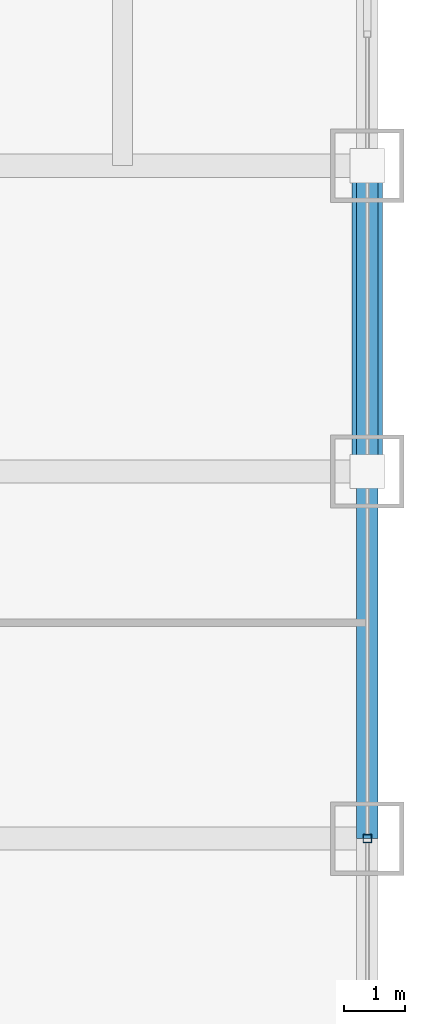
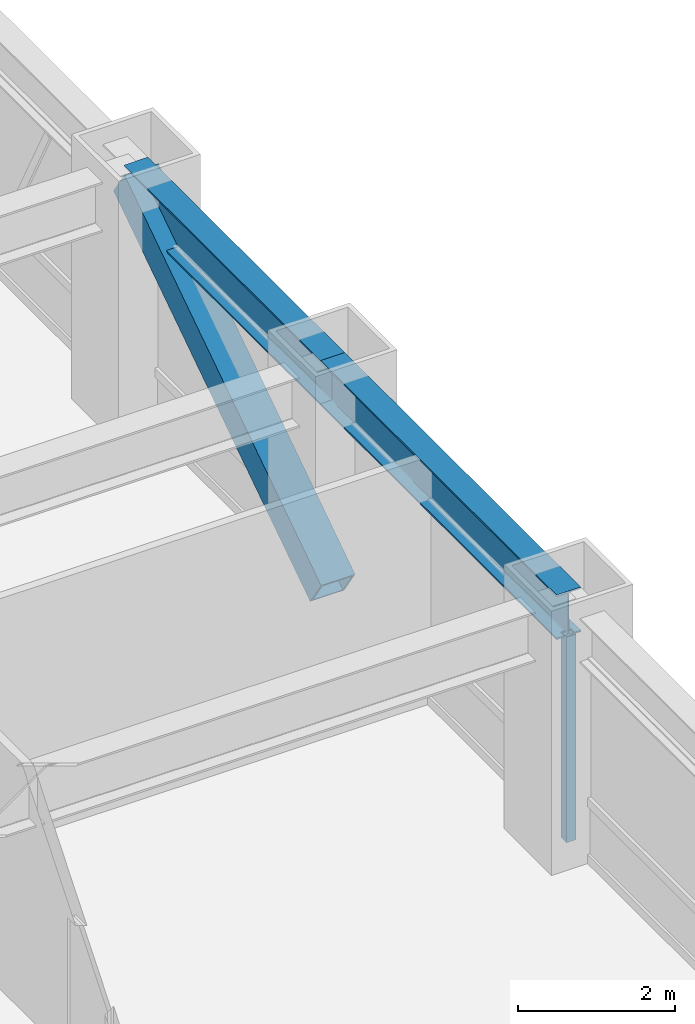
# One storey, part 14 of 32: 2 beams, 2 members, 1 element without a shape of its own.
"""IFC4 building model written with IfcOpenShell, lengths in metres."""

from ifc_helpers import new_model, si_unit, direction, frame, origin, origin_2d, place, context, subcontext, project, spatial, hollow_rectangle, i_section, extrude, source, transform, mapped, material, material_profile, profile_set, type_object, element, aggregate, save


model = new_model("IFC4")

# Units and contexts
model_context = context("Model", 3, precision=1e-05, world=origin(), true_north=direction((0.0, 1.0)))
body_context = subcontext(model_context, "Body", "Model", "MODEL_VIEW")
ifc_project = project(units=[si_unit("LENGTHUNIT", "METRE"), si_unit("AREAUNIT", "SQUARE_METRE"), si_unit("VOLUMEUNIT", "CUBIC_METRE"), si_unit("PLANEANGLEUNIT", "RADIAN"), si_unit("MASSUNIT", "GRAM", prefix="KILO")], contexts=[model_context])

# Site, building, storey
site_placement = place(None, origin())
site = spatial("IfcSite", under=ifc_project, at=site_placement, CompositionType="ELEMENT")
building_placement = place(site_placement, origin())
building = spatial("IfcBuilding", under=site, at=building_placement, Name="Khorayat Bourse Tower", CompositionType="ELEMENT")
storey_placement = place(building_placement, frame((0.0, 0.0, 136.5)))
storey = spatial("IfcBuildingStorey", under=building, at=storey_placement, Name="L31", CompositionType="ELEMENT", Elevation=136.5)

# Beams
ifc_material_1 = material(Name="Steel ASTM A992 Grade 50", Category="steel")
ifc_material_profile_1 = material_profile(ifc_material_1, i_section(OverallWidth=0.35498046875, OverallDepth=0.695068359375, WebThickness=0.015380859375, FlangeThickness=0.02490234375, FilletRadius=0.01806640625, at=origin_2d()), Name="W690X217")
ifc_profile_set_1 = profile_set([ifc_material_profile_1], Name="Steel ASTM A992 Grade 50")
beam_type = type_object("IfcBeamType", Name="BM-SPAN-690", PredefinedType="SPANDREL", material=ifc_profile_set_1)
shared_shape_1 = source(origin(), body_context, "Body", "SweptSolid", [
    extrude(i_section(OverallWidth=0.35498046875, OverallDepth=0.695068359375, WebThickness=0.015380859375, FlangeThickness=0.02490234375, FilletRadius=0.01806640625, at=origin_2d()), origin(), (0.0, 0.0, 1.0), 5.0),
])
beam_1_placement = place(storey_placement, frame((32.0, 6.0, 3.492431640625), z_axis=(0.0, 1.0, 0.0), x_axis=(-1.0, 0.0, 0.0)))
element("IfcBeam", 1, at=beam_1_placement, inside=storey, type_object=beam_type, Name="L31 BM-SPAN-690 BM-L31-SPN-039", PredefinedType="SPANDREL", context=body_context, shape_type="MappedRepresentation", body=[
    mapped(shared_shape_1, transform((0.0, 0.0, 0.0), scale=1.0)),
])
shared_shape_2 = source(origin(), body_context, "Body", "SweptSolid", [
    extrude(i_section(OverallWidth=0.35498046875, OverallDepth=0.695068359375, WebThickness=0.015380859375, FlangeThickness=0.02490234375, FilletRadius=0.01806640625, at=origin_2d()), origin(), (0.0, 0.0, 1.0), 6.0),
])
beam_2_placement = place(storey_placement, frame((32.0, 0.0, 3.492431640625), z_axis=(0.0, 1.0, 0.0), x_axis=(-1.0, 0.0, 0.0)))
element("IfcBeam", 2, at=beam_2_placement, inside=storey, type_object=beam_type, Name="L31 BM-SPAN-690 BM-L31-SPN-038", PredefinedType="SPANDREL", context=body_context, shape_type="MappedRepresentation", body=[
    mapped(shared_shape_2, transform((0.0, 0.0, 0.0), scale=1.0)),
])

# Member
ifc_material_2 = material(Name="Steel EN 10025-4 S460M", Category="steel")
ifc_material_profile_2 = material_profile(ifc_material_2, hollow_rectangle(XDim=0.5, YDim=0.5, WallThickness=0.028076171875, at=origin_2d()), Name="HSS 500x500x28")
ifc_profile_set_2 = profile_set([ifc_material_profile_2], Name="Steel EN 10025-4 S460M")
member_type_1 = type_object("IfcMemberType", Name="MBR-TUBE-500", PredefinedType="BRACE", material=ifc_profile_set_2)
shared_shape_3 = source(origin(), body_context, "Body", "SweptSolid", [
    extrude(hollow_rectangle(XDim=0.5, YDim=0.5, WallThickness=0.028076171875, at=origin_2d()), origin(), (0.0, 0.0, 1.0), 6.012939453125),
])
member_1_placement = place(storey_placement, frame((32.0, 6.0, 0.25), z_axis=(0.0, 0.831531473026, 0.555477640745), x_axis=(-1.0, 0.0, 0.0)))
element("IfcMember", 3, at=member_1_placement, inside=storey, type_object=member_type_1, Name="L31 Perimeter Tube Brace 08", PredefinedType="BRACE", context=body_context, shape_type="MappedRepresentation", body=[
    mapped(shared_shape_3, transform((0.0, 0.0, 0.0), scale=1.0)),
])

# Curtain wall, member
ifc_material_3 = material(Name="Aluminium EN AW-6063 T6", Category="aluminium")
curtain_wall_type = type_object("IfcCurtainWallType", Name="CW-SYS-02", PredefinedType="NOTDEFINED", material=ifc_material_3)
curtain_wall_placement = place(storey_placement, origin())
curtain_wall = element("IfcCurtainWall", 4, at=curtain_wall_placement, inside=storey, type_object=curtain_wall_type, Name="L31 Curtain Wall CW-L31-E1", PredefinedType="NOTDEFINED")
ifc_material_profile_3 = material_profile(ifc_material_3, hollow_rectangle(XDim=0.139892578125, YDim=0.139892578125, WallThickness=0.006103515625, at=origin_2d()), Name="ALU 140x140x6")
ifc_profile_set_3 = profile_set([ifc_material_profile_3], Name="Aluminium EN AW-6063 T6")
member_type_2 = type_object("IfcMemberType", Name="CWM-VERT-140", PredefinedType="MULLION", material=ifc_profile_set_3)
shared_shape_4 = source(origin(), body_context, "Body", "SweptSolid", [
    extrude(hollow_rectangle(XDim=0.139892578125, YDim=0.139892578125, WallThickness=0.006103515625, at=origin_2d()), origin(), (0.0, 0.0, 1.0), 3.18994140625),
])
member_2_placement = place(storey_placement, frame((32.0, 0.0, 0.0), z_axis=(0.0, 0.0, 1.0), x_axis=(-1.0, 0.0, 0.0)))
member_2 = element("IfcMember", 5, at=member_2_placement, type_object=member_type_2, Name="CW-L31-E1 Vertical Mullion 2", PredefinedType="MULLION", context=body_context, shape_type="MappedRepresentation", body=[
    mapped(shared_shape_4, transform((0.0, 0.0, 0.0), scale=1.0)),
])
aggregate(curtain_wall, [member_2])

save(model, "model.ifc")
